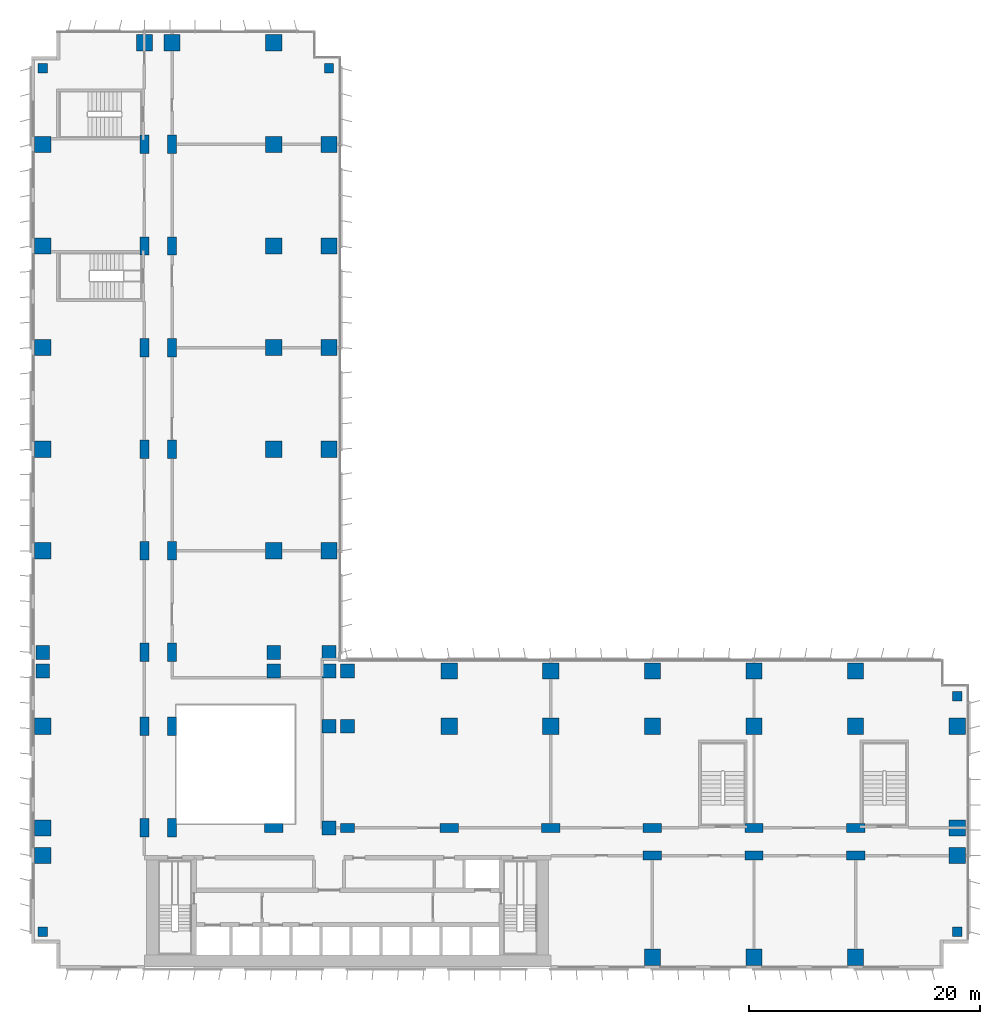
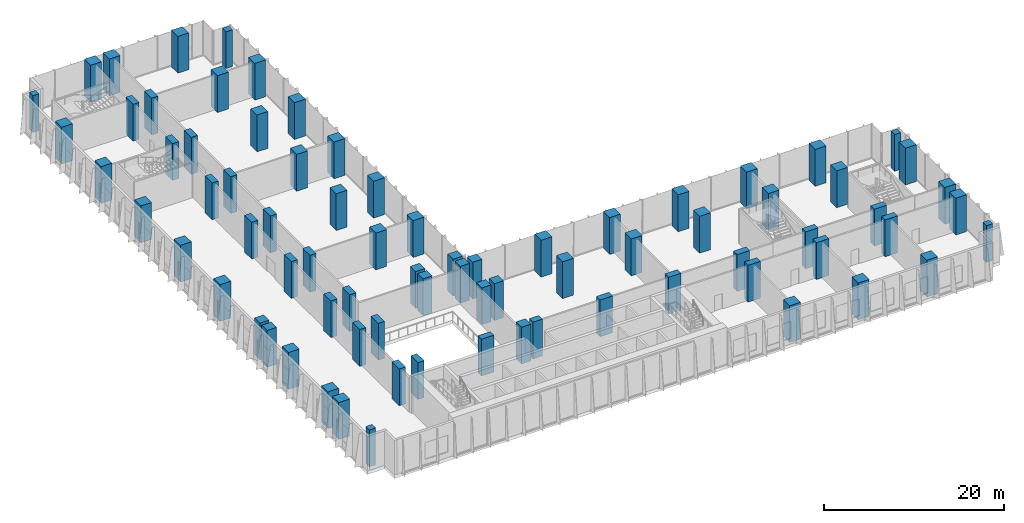
# One storey, part 1 of 23: 78 columns.
"""IFC4 building model written with IfcOpenShell, lengths in metres."""

import ifcopenshell
import ifcopenshell.guid

model = None  # the IFC model being written
_history = None  # IfcOwnerHistory: only IFC2X3 demands one
_inside = {}  # id of a spatial element -> (the spatial element, [elements in it])
_under = {}  # id of a project, library or spatial element -> (it, [spatial elements below it])
_declared = {}  # id of a project -> (the project, [libraries it declares])
_typed = {}  # id of a type object -> (the type object, [elements of that type])
_made_of = {}  # id of a material, layer set ... -> (it, [elements and type objects made of it])


def new_model(schema):
    """Start an empty IFC model of exactly this schema.

    Asked for "IFC4X3", IfcOpenShell would pick the latest addendum, in which some entities
    have other attributes; the version numbers below select the first issue.
    IFC2X3 requires an IfcOwnerHistory on every rooted entity: one is made here for all.
    """
    global model, _history
    if schema == "IFC4X3":
        model = ifcopenshell.file(schema_version=(4, 3, 0, 0))
    else:
        model = ifcopenshell.file(schema=schema)
    _inside.clear()
    _under.clear()
    _declared.clear()
    _typed.clear()
    _made_of.clear()
    _history = None
    if model.schema == "IFC2X3":
        org = make("IfcOrganization", Name="unknown")
        user = make(
            "IfcPersonAndOrganization",
            ThePerson=make("IfcPerson", FamilyName="unknown"),
            TheOrganization=org,
        )
        app = make(
            "IfcApplication",
            ApplicationDeveloper=org,
            Version="unknown",
            ApplicationFullName="unknown",
            ApplicationIdentifier="unknown",
        )
        _history = make(
            "IfcOwnerHistory",
            OwningUser=user,
            OwningApplication=app,
            ChangeAction="ADDED",
            CreationDate=0,
        )
    return model


def make(cls, **values):
    """One entity of the class cls with the attributes given. An attribute that is None is left unset."""
    return model.create_entity(
        cls, **{name: value for name, value in values.items() if value is not None}
    )


def rooted(cls, **values):
    """An entity with a GlobalId (a new one), such as an element, a storey or a relation."""
    return make(cls, GlobalId=ifcopenshell.guid.new(), OwnerHistory=_history, **values)


def si_unit(unit_type, name, prefix=None):
    """IfcSIUnit, for example si_unit("LENGTHUNIT", "METRE", prefix="MILLI")."""
    return make("IfcSIUnit", UnitType=unit_type, Prefix=prefix, Name=name)


def assignment(units):
    """IfcUnitAssignment: the units of a project."""
    return None if units is None else make("IfcUnitAssignment", Units=units)


def point(xyz):
    """IfcCartesianPoint."""
    return None if xyz is None else make("IfcCartesianPoint", Coordinates=xyz)


def direction(xyz):
    """IfcDirection."""
    return None if xyz is None else make("IfcDirection", DirectionRatios=xyz)


def frame(location, z_axis=None, x_axis=None):
    """IfcAxis2Placement3D, a coordinate frame: its origin and axes. An axis left out is left unset."""
    return make(
        "IfcAxis2Placement3D",
        Location=point(location),
        Axis=direction(z_axis),
        RefDirection=direction(x_axis),
    )


def frame_2d(location, x_axis=None):
    """IfcAxis2Placement2D, a coordinate frame in the plane: its origin and x axis."""
    return make(
        "IfcAxis2Placement2D", Location=point(location), RefDirection=direction(x_axis)
    )


def origin():
    """The frame at (0, 0, 0) with its axes left unset."""
    return frame((0.0, 0.0, 0.0))


def origin_2d():
    """The frame at (0, 0) in the plane with its x axis left unset."""
    return frame_2d((0.0, 0.0))


def place(relative_to, where):
    """IfcLocalPlacement: puts the frame where relative to a parent placement (None: the world)."""
    return make(
        "IfcLocalPlacement", PlacementRelTo=relative_to, RelativePlacement=where
    )


def context(
    kind, dimensions, precision=None, world=None, true_north=None, identifier=None
):
    """IfcGeometricRepresentationContext, for example the 3D "Model" context."""
    return make(
        "IfcGeometricRepresentationContext",
        ContextIdentifier=identifier,
        ContextType=kind,
        CoordinateSpaceDimension=dimensions,
        Precision=precision,
        WorldCoordinateSystem=world,
        TrueNorth=true_north,
    )


def subcontext(parent, identifier, kind, view, scale=None):
    """IfcGeometricRepresentationSubContext, for example "Body" below "Model"."""
    return make(
        "IfcGeometricRepresentationSubContext",
        ContextIdentifier=identifier,
        ContextType=kind,
        ParentContext=parent,
        TargetScale=scale,
        TargetView=view,
    )


def project(units=None, contexts=None):
    """IfcProject with its units and contexts."""
    return rooted(
        "IfcProject",
        Name="project",
        RepresentationContexts=contexts,
        UnitsInContext=assignment(units),
    )


def spatial(cls, under=None, at=None, **own):
    """A site, building, storey or space (cls), placed at a placement, below another one or the project."""
    s = rooted(cls, ObjectPlacement=at, **own)
    if under is not None:
        _under.setdefault(under.id(), (under, []))[1].append(s)
    return s


def profile(cls, at=None, kind="AREA", **sizes):
    """A parametric profile (cls). Its sizes go by their IFC names, for example OverallWidth=200.0."""
    return make(cls, ProfileType=kind, Position=at, **sizes)


def rectangle(**sizes):
    """IfcRectangleProfileDef."""
    return profile("IfcRectangleProfileDef", **sizes)


def extrude(swept, where, along, depth):
    """IfcExtrudedAreaSolid: the profile swept, set in the frame where, extruded along a direction by depth."""
    return make(
        "IfcExtrudedAreaSolid",
        SweptArea=swept,
        Position=where,
        ExtrudedDirection=direction(along),
        Depth=depth,
    )


def shape(context_of_items, identifier, shape_type, items):
    """IfcShapeRepresentation: the items that make up one representation, for example the "Body"."""
    return make(
        "IfcShapeRepresentation",
        ContextOfItems=context_of_items,
        RepresentationIdentifier=identifier,
        RepresentationType=shape_type,
        Items=items,
    )


def material(Name=None, Category=None):
    """IfcMaterial."""
    return make("IfcMaterial", Name=Name, Category=Category)


def material_profile(
    of_material, cross_section, Name=None, Category=None, Priority=None
):
    """IfcMaterialProfile: a cross section and its material."""
    return make(
        "IfcMaterialProfile",
        Name=Name,
        Material=of_material,
        Profile=cross_section,
        Priority=Priority,
        Category=Category,
    )


def profile_set(profiles, Name=None, composite=None):
    """IfcMaterialProfileSet."""
    return make(
        "IfcMaterialProfileSet",
        Name=Name,
        MaterialProfiles=profiles,
        CompositeProfile=composite,
    )


def made_of(thing, what):
    """Note that an element or type object is made of a material, layer set ...; save() writes the relation."""
    if what is not None:
        _made_of.setdefault(what.id(), (what, []))[1].append(thing)
    return thing


def type_object(cls, material=None, **own):
    """A type object (cls), such as IfcWallType, which elements share."""
    return made_of(rooted(cls, **own), material)


def element(
    cls,
    number,
    at=None,
    inside=None,
    cuts=None,
    type_object=None,
    material=None,
    context=None,
    identifier="Body",
    shape_type=None,
    held_by="IfcProductDefinitionShape",
    body=None,
    shapes=None,
    **own,
):
    """One element of the class cls, such as IfcWall. Its Tag is "e" and its number.

    at: its placement. inside: the storey or other place that contains it. cuts: it is an
    opening in that element (IfcRelVoidsElement). A single representation is given by context,
    identifier, shape_type and body (its items); several are given by shapes. held_by: the class
    of the entity that holds the representations. save() writes the other relations.
    """
    e = rooted(cls, Tag="e%d" % number, ObjectPlacement=at, **own)
    if body is not None:
        shapes = [shape(context, identifier, shape_type, body)]
    if shapes is not None:
        e.Representation = make(held_by, Representations=shapes)
    if inside is not None:
        _inside.setdefault(inside.id(), (inside, []))[1].append(e)
    if cuts is not None:
        rooted(
            "IfcRelVoidsElement", RelatingBuildingElement=cuts, RelatedOpeningElement=e
        )
    if type_object is not None:
        _typed.setdefault(type_object.id(), (type_object, []))[1].append(e)
    return made_of(e, material)


def aggregate(whole, parts):
    """IfcRelAggregates: a whole, such as a stair, and the parts it consists of."""
    return rooted("IfcRelAggregates", RelatingObject=whole, RelatedObjects=parts)


def save(model, path):
    """Write the relations noted so far, then the file.

    IfcRelAggregates (storeys below a building ...), IfcRelContainedInSpatialStructure (elements
    in a storey), IfcRelDefinesByType, IfcRelAssociatesMaterial and IfcRelDeclares: one each for
    every whole, place, type object, material and project.
    """
    for whole, parts in _under.values():
        aggregate(whole, parts)
    for where, things in _inside.values():
        rooted(
            "IfcRelContainedInSpatialStructure",
            RelatedElements=things,
            RelatingStructure=where,
        )
    for kind, things in _typed.values():
        rooted("IfcRelDefinesByType", RelatedObjects=things, RelatingType=kind)
    for what, things in _made_of.values():
        rooted("IfcRelAssociatesMaterial", RelatedObjects=things, RelatingMaterial=what)
    for by, libraries in _declared.values():
        rooted("IfcRelDeclares", RelatingContext=by, RelatedDefinitions=libraries)
    model.write(path)


model = new_model("IFC4")

# Units and contexts
model_context = context("Model", 3, precision=1e-05, world=origin(), true_north=direction((0.0, 1.0)))
body_context = subcontext(model_context, "Body", "Model", "MODEL_VIEW")
ifc_project = project(units=[si_unit("LENGTHUNIT", "METRE"), si_unit("AREAUNIT", "SQUARE_METRE"), si_unit("VOLUMEUNIT", "CUBIC_METRE"), si_unit("PLANEANGLEUNIT", "RADIAN"), si_unit("MASSUNIT", "GRAM", prefix="KILO")], contexts=[model_context])

# Site, building, storey
site_placement = place(None, origin())
site = spatial("IfcSite", under=ifc_project, at=site_placement, CompositionType="ELEMENT")
building_placement = place(site_placement, origin())
building = spatial("IfcBuilding", under=site, at=building_placement, Name="Kemantara Hotel Tower", CompositionType="ELEMENT")
storey_placement = place(building_placement, frame((0.0, 0.0, 71.0)))
storey = spatial("IfcBuildingStorey", under=building, at=storey_placement, Name="L16", CompositionType="ELEMENT", Elevation=71.0)

# Columns
ifc_material = material(Name="Concrete fc 70 MPa", Category="concrete")
ifc_material_profile_1 = material_profile(ifc_material, rectangle(XDim=1.199951171875, YDim=1.199951171875, at=origin_2d()), Name="RC 1200X1200")
ifc_profile_set_1 = profile_set([ifc_material_profile_1], Name="Concrete fc 70 MPa")
column_type_1 = type_object("IfcColumnType", Name="RC COLUMN 1200X1200 FC70", PredefinedType="COLUMN", material=ifc_profile_set_1)
for number, where, z_axis, x_axis, name in (
    (1, (1.0, 25.800048828125, 0.0), (0.0, 0.0, 1.0), (1.0, 0.0, 0.0), "COLUMN 1/CA L16"),
    (2, (1.0, 27.39990234375, 0.0), (0.0, 0.0, 1.0), (1.0, 0.0, 0.0), "COLUMN 1/D L16"),
    (3, (21.0, 25.800048828125, 0.0), (0.0, 0.0, 1.0), (1.0, 0.0, 0.0), "COLUMN 3/CA L16"),
    (4, (21.0, 27.39990234375, 0.0), (0.0, 0.0, 1.0), (1.0, 0.0, 0.0), "COLUMN 3/D L16"),
    (5, (25.800048828125, 12.199951171875, 0.0), (0.0, 0.0, 1.0), (1.0, 0.0, 0.0), "COLUMN 3A/BA L16"),
    (6, (25.800048828125, 21.0, 0.0), (0.0, 0.0, 1.0), (1.0, 0.0, 0.0), "COLUMN 3A/C L16"),
    (7, (25.800048828125, 25.800048828125, 0.0), (0.0, 0.0, 1.0), (1.0, 0.0, 0.0), "COLUMN 3A/CA L16"),
    (8, (25.800048828125, 27.39990234375, 0.0), (0.0, 0.0, 1.0), (1.0, 0.0, 0.0), "COLUMN 3A/D L16"),
    (9, (27.39990234375, 21.0, 0.0), (0.0, 0.0, 1.0), (1.0, 0.0, 0.0), "COLUMN 4/C L16"),
    (10, (27.39990234375, 25.800048828125, 0.0), (0.0, 0.0, 1.0), (1.0, 0.0, 0.0), "COLUMN 4/CA L16"),
):
    element("IfcColumn", number, at=place(storey_placement, frame(where, z_axis=z_axis, x_axis=x_axis)), inside=storey, type_object=column_type_1, Name=name, PredefinedType="COLUMN", context=body_context, shape_type="SweptSolid", body=[
        extrude(rectangle(XDim=1.199951171875, YDim=1.199951171875, at=origin_2d()), origin(), (0.0, 0.0, 1.0), 5.0),
    ])
ifc_material_profile_2 = material_profile(ifc_material, rectangle(XDim=1.199951171875, YDim=0.800048828125, at=origin_2d()), Name="RC 1200X800")
ifc_profile_set_2 = profile_set([ifc_material_profile_2], Name="Concrete fc 70 MPa")
column_type_2 = type_object("IfcColumnType", Name="RC COLUMN 1200X800 FC70", PredefinedType="COLUMN", material=ifc_profile_set_2)
column_placement = place(storey_placement, frame((27.39990234375, 12.199951171875, 0.0), z_axis=(0.0, 0.0, 1.0), x_axis=(1.0, 0.0, 0.0)))
element("IfcColumn", 11, at=column_placement, inside=storey, type_object=column_type_2, Name="COLUMN 4/BA L16", PredefinedType="COLUMN", context=body_context, shape_type="SweptSolid", body=[
    extrude(rectangle(XDim=1.199951171875, YDim=0.800048828125, at=origin_2d()), origin(), (0.0, 0.0, 1.0), 5.0),
])
ifc_material_profile_3 = material_profile(ifc_material, rectangle(XDim=1.39990234375, YDim=1.39990234375, at=origin_2d()), Name="RC 1400X1400")
ifc_profile_set_3 = profile_set([ifc_material_profile_3], Name="Concrete fc 70 MPa")
column_type_3 = type_object("IfcColumnType", Name="RC COLUMN 1400X1400 FC70", PredefinedType="COLUMN", material=ifc_profile_set_3)
for number, where, z_axis, x_axis, name in (
    (12, (1.0, 9.800048828125, 0.0), (0.0, 0.0, 1.0), (1.0, 0.0, 0.0), "COLUMN 1/B L16"),
    (13, (1.0, 12.199951171875, 0.0), (0.0, 0.0, 1.0), (1.0, 0.0, 0.0), "COLUMN 1/BA L16"),
    (14, (1.0, 21.0, 0.0), (0.0, 0.0, 1.0), (1.0, 0.0, 0.0), "COLUMN 1/C L16"),
    (15, (1.0, 36.199951171875, 0.0), (0.0, 0.0, 1.0), (1.0, 0.0, 0.0), "COLUMN 1/E L16"),
    (16, (1.0, 45.0, 0.0), (0.0, 0.0, 1.0), (1.0, 0.0, 0.0), "COLUMN 1/F L16"),
    (17, (1.0, 53.800048828125, 0.0), (0.0, 0.0, 1.0), (1.0, 0.0, 0.0), "COLUMN 1/G L16"),
    (18, (1.0, 62.60009765625, 0.0), (0.0, 0.0, 1.0), (1.0, 0.0, 0.0), "COLUMN 1/H L16"),
    (19, (1.0, 71.39990234375, 0.0), (0.0, 0.0, 1.0), (1.0, 0.0, 0.0), "COLUMN 1/J L16"),
    (20, (9.800048828125, 80.199951171875, 0.0), (0.0, 0.0, 1.0), (1.0, 0.0, 0.0), "COLUMN 2/K L16"),
    (21, (12.199951171875, 80.199951171875, 0.0), (0.0, 0.0, 1.0), (1.0, 0.0, 0.0), "COLUMN 2A/K L16"),
    (22, (21.0, 36.199951171875, 0.0), (0.0, 0.0, 1.0), (1.0, 0.0, 0.0), "COLUMN 3/E L16"),
    (23, (21.0, 45.0, 0.0), (0.0, 0.0, 1.0), (1.0, 0.0, 0.0), "COLUMN 3/F L16"),
    (24, (21.0, 53.800048828125, 0.0), (0.0, 0.0, 1.0), (1.0, 0.0, 0.0), "COLUMN 3/G L16"),
    (25, (21.0, 62.60009765625, 0.0), (0.0, 0.0, 1.0), (1.0, 0.0, 0.0), "COLUMN 3/H L16"),
    (26, (21.0, 71.39990234375, 0.0), (0.0, 0.0, 1.0), (1.0, 0.0, 0.0), "COLUMN 3/J L16"),
    (27, (21.0, 80.199951171875, 0.0), (0.0, 0.0, 1.0), (1.0, 0.0, 0.0), "COLUMN 3/K L16"),
    (28, (25.800048828125, 36.199951171875, 0.0), (0.0, 0.0, 1.0), (1.0, 0.0, 0.0), "COLUMN 3A/E L16"),
    (29, (25.800048828125, 45.0, 0.0), (0.0, 0.0, 1.0), (1.0, 0.0, 0.0), "COLUMN 3A/F L16"),
    (30, (25.800048828125, 53.800048828125, 0.0), (0.0, 0.0, 1.0), (1.0, 0.0, 0.0), "COLUMN 3A/G L16"),
    (31, (25.800048828125, 62.60009765625, 0.0), (0.0, 0.0, 1.0), (1.0, 0.0, 0.0), "COLUMN 3A/H L16"),
    (32, (25.800048828125, 71.39990234375, 0.0), (0.0, 0.0, 1.0), (1.0, 0.0, 0.0), "COLUMN 3A/J L16"),
    (33, (36.199951171875, 21.0, 0.0), (0.0, 0.0, 1.0), (1.0, 0.0, 0.0), "COLUMN 5/C L16"),
    (34, (36.199951171875, 25.800048828125, 0.0), (0.0, 0.0, 1.0), (1.0, 0.0, 0.0), "COLUMN 5/CA L16"),
    (35, (45.0, 21.0, 0.0), (0.0, 0.0, 1.0), (1.0, 0.0, 0.0), "COLUMN 6/C L16"),
    (36, (45.0, 25.800048828125, 0.0), (0.0, 0.0, 1.0), (1.0, 0.0, 0.0), "COLUMN 6/CA L16"),
    (37, (53.800048828125, 1.0, 0.0), (0.0, 0.0, 1.0), (1.0, 0.0, 0.0), "COLUMN 7/A L16"),
    (38, (53.800048828125, 21.0, 0.0), (0.0, 0.0, 1.0), (1.0, 0.0, 0.0), "COLUMN 7/C L16"),
    (39, (53.800048828125, 25.800048828125, 0.0), (0.0, 0.0, 1.0), (1.0, 0.0, 0.0), "COLUMN 7/CA L16"),
    (40, (62.60009765625, 1.0, 0.0), (0.0, 0.0, 1.0), (1.0, 0.0, 0.0), "COLUMN 8/A L16"),
    (41, (62.60009765625, 21.0, 0.0), (0.0, 0.0, 1.0), (1.0, 0.0, 0.0), "COLUMN 8/C L16"),
    (42, (62.60009765625, 25.800048828125, 0.0), (0.0, 0.0, 1.0), (1.0, 0.0, 0.0), "COLUMN 8/CA L16"),
    (43, (71.39990234375, 1.0, 0.0), (0.0, 0.0, 1.0), (1.0, 0.0, 0.0), "COLUMN 9/A L16"),
    (44, (71.39990234375, 21.0, 0.0), (0.0, 0.0, 1.0), (1.0, 0.0, 0.0), "COLUMN 9/C L16"),
    (45, (71.39990234375, 25.800048828125, 0.0), (0.0, 0.0, 1.0), (1.0, 0.0, 0.0), "COLUMN 9/CA L16"),
    (46, (80.199951171875, 9.800048828125, 0.0), (0.0, 0.0, 1.0), (1.0, 0.0, 0.0), "COLUMN 10/B L16"),
    (47, (80.199951171875, 12.199951171875, 0.0), (0.0, 0.0, 1.0), (1.0, 0.0, 0.0), "COLUMN 10/BA L16"),
    (48, (80.199951171875, 21.0, 0.0), (0.0, 0.0, 1.0), (1.0, 0.0, 0.0), "COLUMN 10/C L16"),
):
    element("IfcColumn", number, at=place(storey_placement, frame(where, z_axis=z_axis, x_axis=x_axis)), inside=storey, type_object=column_type_3, Name=name, PredefinedType="COLUMN", context=body_context, shape_type="SweptSolid", body=[
        extrude(rectangle(XDim=1.39990234375, YDim=1.39990234375, at=origin_2d()), origin(), (0.0, 0.0, 1.0), 5.0),
    ])
ifc_material_profile_4 = material_profile(ifc_material, rectangle(XDim=1.60009765625, YDim=0.800048828125, at=origin_2d()), Name="RC 1600X800")
ifc_profile_set_4 = profile_set([ifc_material_profile_4], Name="Concrete fc 70 MPa")
column_type_4 = type_object("IfcColumnType", Name="RC COLUMN 1600X800 FC70", PredefinedType="COLUMN", material=ifc_profile_set_4)
for number, where, z_axis, x_axis, name in (
    (49, (9.800048828125, 12.199951171875, 0.0), (0.0, 0.0, 1.0), (0.0, 1.0, 0.0), "COLUMN 2/BA L16"),
    (50, (9.800048828125, 21.0, 0.0), (0.0, 0.0, 1.0), (0.0, 1.0, 0.0), "COLUMN 2/C L16"),
    (51, (9.800048828125, 27.39990234375, 0.0), (0.0, 0.0, 1.0), (0.0, 1.0, 0.0), "COLUMN 2/D L16"),
    (52, (9.800048828125, 36.199951171875, 0.0), (0.0, 0.0, 1.0), (0.0, 1.0, 0.0), "COLUMN 2/E L16"),
    (53, (9.800048828125, 45.0, 0.0), (0.0, 0.0, 1.0), (0.0, 1.0, 0.0), "COLUMN 2/F L16"),
    (54, (9.800048828125, 53.800048828125, 0.0), (0.0, 0.0, 1.0), (0.0, 1.0, 0.0), "COLUMN 2/G L16"),
    (55, (9.800048828125, 62.60009765625, 0.0), (0.0, 0.0, 1.0), (0.0, 1.0, 0.0), "COLUMN 2/H L16"),
    (56, (9.800048828125, 71.39990234375, 0.0), (0.0, 0.0, 1.0), (0.0, 1.0, 0.0), "COLUMN 2/J L16"),
    (57, (12.199951171875, 12.199951171875, 0.0), (0.0, 0.0, 1.0), (0.0, 1.0, 0.0), "COLUMN 2A/BA L16"),
    (58, (12.199951171875, 21.0, 0.0), (0.0, 0.0, 1.0), (0.0, 1.0, 0.0), "COLUMN 2A/C L16"),
    (59, (12.199951171875, 27.39990234375, 0.0), (0.0, 0.0, 1.0), (0.0, 1.0, 0.0), "COLUMN 2A/D L16"),
    (60, (12.199951171875, 36.199951171875, 0.0), (0.0, 0.0, 1.0), (0.0, 1.0, 0.0), "COLUMN 2A/E L16"),
    (61, (12.199951171875, 45.0, 0.0), (0.0, 0.0, 1.0), (0.0, 1.0, 0.0), "COLUMN 2A/F L16"),
    (62, (12.199951171875, 53.800048828125, 0.0), (0.0, 0.0, 1.0), (0.0, 1.0, 0.0), "COLUMN 2A/G L16"),
    (63, (12.199951171875, 62.60009765625, 0.0), (0.0, 0.0, 1.0), (0.0, 1.0, 0.0), "COLUMN 2A/H L16"),
    (64, (12.199951171875, 71.39990234375, 0.0), (0.0, 0.0, 1.0), (0.0, 1.0, 0.0), "COLUMN 2A/J L16"),
    (65, (21.0, 12.199951171875, 0.0), (0.0, 0.0, 1.0), (1.0, 0.0, 0.0), "COLUMN 3/BA L16"),
    (66, (36.199951171875, 12.199951171875, 0.0), (0.0, 0.0, 1.0), (1.0, 0.0, 0.0), "COLUMN 5/BA L16"),
    (67, (45.0, 12.199951171875, 0.0), (0.0, 0.0, 1.0), (1.0, 0.0, 0.0), "COLUMN 6/BA L16"),
    (68, (53.800048828125, 9.800048828125, 0.0), (0.0, 0.0, 1.0), (1.0, 0.0, 0.0), "COLUMN 7/B L16"),
    (69, (53.800048828125, 12.199951171875, 0.0), (0.0, 0.0, 1.0), (1.0, 0.0, 0.0), "COLUMN 7/BA L16"),
    (70, (62.60009765625, 9.800048828125, 0.0), (0.0, 0.0, 1.0), (1.0, 0.0, 0.0), "COLUMN 8/B L16"),
    (71, (62.60009765625, 12.199951171875, 0.0), (0.0, 0.0, 1.0), (1.0, 0.0, 0.0), "COLUMN 8/BA L16"),
    (72, (71.39990234375, 9.800048828125, 0.0), (0.0, 0.0, 1.0), (1.0, 0.0, 0.0), "COLUMN 9/B L16"),
    (73, (71.39990234375, 12.199951171875, 0.0), (0.0, 0.0, 1.0), (1.0, 0.0, 0.0), "COLUMN 9/BA L16"),
):
    element("IfcColumn", number, at=place(storey_placement, frame(where, z_axis=z_axis, x_axis=x_axis)), inside=storey, type_object=column_type_4, Name=name, PredefinedType="COLUMN", context=body_context, shape_type="SweptSolid", body=[
        extrude(rectangle(XDim=1.60009765625, YDim=0.800048828125, at=origin_2d()), origin(), (0.0, 0.0, 1.0), 5.0),
    ])
ifc_material_profile_5 = material_profile(ifc_material, rectangle(XDim=0.800048828125, YDim=0.800048828125, at=origin_2d()), Name="RC 800X800")
ifc_profile_set_5 = profile_set([ifc_material_profile_5], Name="Concrete fc 70 MPa")
column_type_5 = type_object("IfcColumnType", Name="RC COLUMN 800X800 FC70", PredefinedType="COLUMN", material=ifc_profile_set_5)
for number, where, z_axis, x_axis, name in (
    (74, (1.0, 3.199951171875, 0.0), (0.0, 0.0, 1.0), (1.0, 0.0, 0.0), "COLUMN notch corner L16"),
    (75, (1.0, 78.0, 0.0), (0.0, 0.0, 1.0), (1.0, 0.0, 0.0), "COLUMN notch corner L16"),
    (76, (25.800048828125, 78.0, 0.0), (0.0, 0.0, 1.0), (1.0, 0.0, 0.0), "COLUMN notch corner L16"),
    (77, (80.199951171875, 3.199951171875, 0.0), (0.0, 0.0, 1.0), (1.0, 0.0, 0.0), "COLUMN notch corner L16"),
    (78, (80.199951171875, 23.60009765625, 0.0), (0.0, 0.0, 1.0), (1.0, 0.0, 0.0), "COLUMN notch corner L16"),
):
    element("IfcColumn", number, at=place(storey_placement, frame(where, z_axis=z_axis, x_axis=x_axis)), inside=storey, type_object=column_type_5, Name=name, PredefinedType="COLUMN", context=body_context, shape_type="SweptSolid", body=[
        extrude(rectangle(XDim=0.800048828125, YDim=0.800048828125, at=origin_2d()), origin(), (0.0, 0.0, 1.0), 5.0),
    ])

save(model, "model.ifc")
